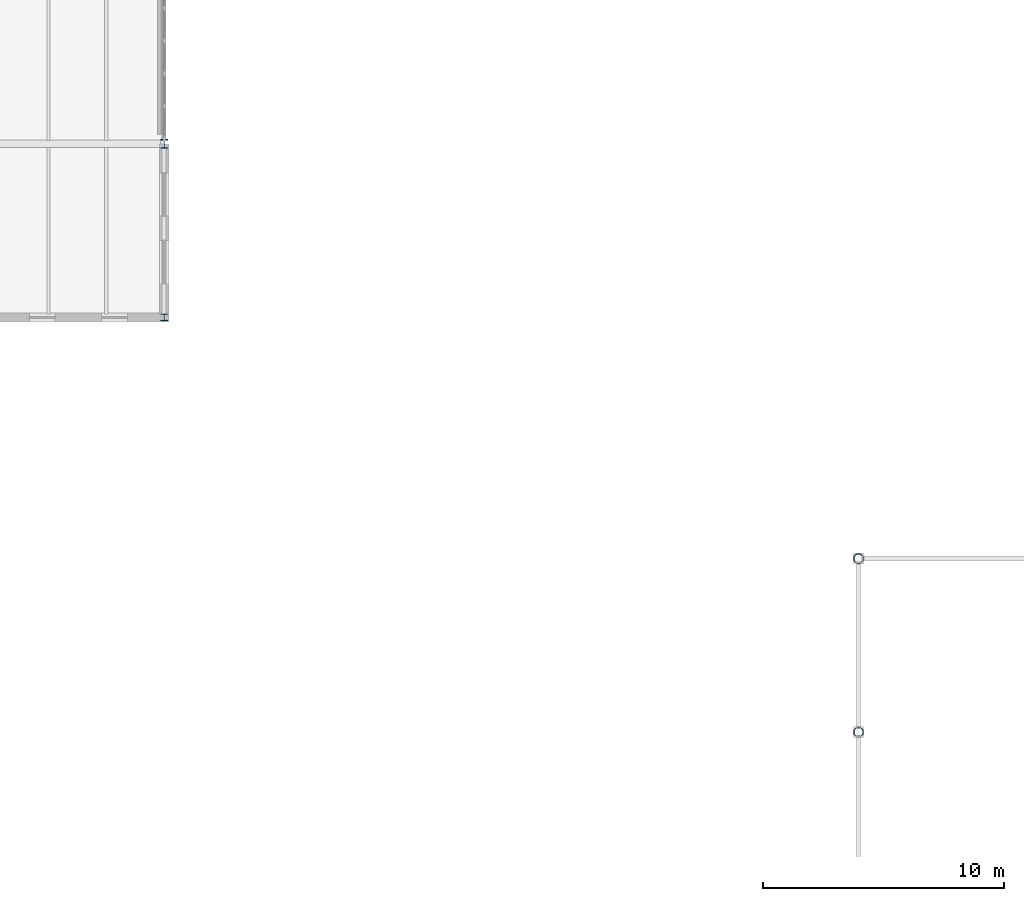
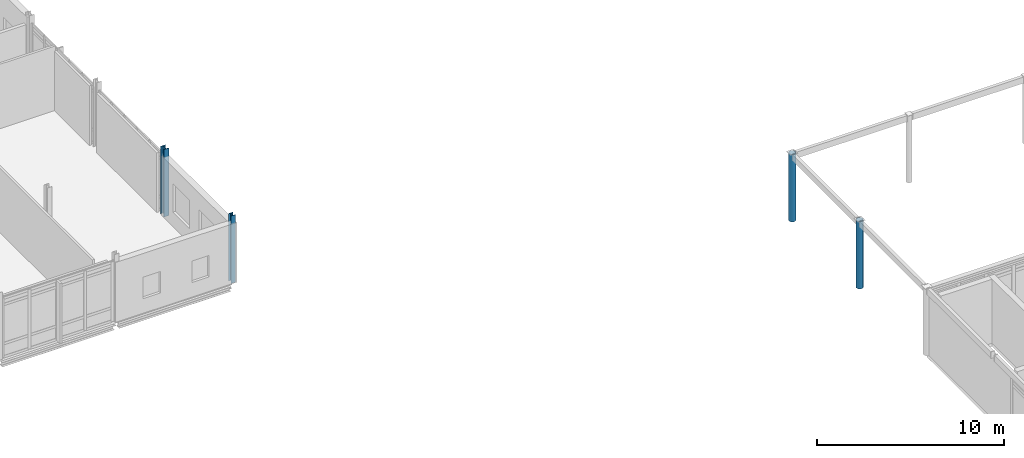
# One storey, part 10 of 72: 4 columns.
"""IFC4 building model written with IfcOpenShell, lengths in metres."""

from ifc_helpers import new_model, si_unit, direction, frame, origin, origin_2d, place, context, subcontext, project, spatial, hollow_circle, i_section, extrude, material, material_profile, profile_set, type_object, element, save


model = new_model("IFC4")

# Units and contexts
model_context = context("Model", 3, precision=1e-05, world=origin(), true_north=direction((0.0, 1.0)))
body_context = subcontext(model_context, "Body", "Model", "MODEL_VIEW")
ifc_project = project(units=[si_unit("LENGTHUNIT", "METRE"), si_unit("AREAUNIT", "SQUARE_METRE"), si_unit("VOLUMEUNIT", "CUBIC_METRE"), si_unit("PLANEANGLEUNIT", "RADIAN"), si_unit("MASSUNIT", "GRAM", prefix="KILO")], contexts=[model_context])

# Site, building, storey
site_placement = place(None, origin())
site = spatial("IfcSite", under=ifc_project, at=site_placement, CompositionType="ELEMENT")
building_placement = place(site_placement, origin())
building = spatial("IfcBuilding", under=site, at=building_placement, Name="Zarrinpeak Specialist Clinic", CompositionType="ELEMENT")
storey_placement = place(building_placement, frame((0.0, 0.0, 9.60009765625)))
storey = spatial("IfcBuildingStorey", under=building, at=storey_placement, Name="L02", CompositionType="ELEMENT", Elevation=9.60009765625)

# Columns
ifc_material = material(Name="Steel S355", Category="steel")
ifc_material_profile_1 = material_profile(ifc_material, hollow_circle(Radius=0.203125, WallThickness=0.01611328125, at=origin_2d()), Name="CHS 406.4x16.0")
ifc_profile_set_1 = profile_set([ifc_material_profile_1], Name="Steel S355")
column_type_1 = type_object("IfcColumnType", Name="COL-CHS406", PredefinedType="COLUMN", material=ifc_profile_set_1)
for number, where, z_axis, x_axis, name in (
    (1, (93.60009765625, 64.800048828125, 0.0), (0.0, 0.0, 1.0), (1.0, 0.0, 0.0), "L02 Structural Column COL-L02-141"),
    (2, (93.60009765625, 72.0, 0.0), (0.0, 0.0, 1.0), (1.0, 0.0, 0.0), "L02 Structural Column COL-L02-142"),
):
    element("IfcColumn", number, at=place(storey_placement, frame(where, z_axis=z_axis, x_axis=x_axis)), inside=storey, type_object=column_type_1, Name=name, PredefinedType="COLUMN", context=body_context, shape_type="SweptSolid", body=[
        extrude(hollow_circle(Radius=0.203125, WallThickness=0.01611328125, at=origin_2d()), origin(), (0.0, 0.0, 1.0), 4.39990234375),
    ])
ifc_material_profile_2 = material_profile(ifc_material, i_section(OverallWidth=0.280029296875, OverallDepth=0.280029296875, WebThickness=0.010498046875, FlangeThickness=0.01806640625, FilletRadius=0.02392578125, at=origin_2d()), Name="HEB 280")
ifc_profile_set_2 = profile_set([ifc_material_profile_2], Name="Steel S355")
column_type_2 = type_object("IfcColumnType", Name="COL-HEB280", PredefinedType="COLUMN", material=ifc_profile_set_2)
column_1_placement = place(storey_placement, frame((64.800048828125, 82.0, 0.0), z_axis=(0.0, 0.0, 1.0), x_axis=(1.0, 0.0, 0.0)))
element("IfcColumn", 3, at=column_1_placement, inside=storey, type_object=column_type_2, Name="L02 Structural Column COL-L02-119", PredefinedType="COLUMN", context=body_context, shape_type="SweptSolid", body=[
    extrude(i_section(OverallWidth=0.280029296875, OverallDepth=0.280029296875, WebThickness=0.010498046875, FlangeThickness=0.01806640625, FilletRadius=0.02392578125, at=origin_2d()), origin(), (0.0, 0.0, 1.0), 4.39990234375),
])
ifc_material_profile_3 = material_profile(ifc_material, i_section(OverallWidth=0.300048828125, OverallDepth=0.360107421875, WebThickness=0.012451171875, FlangeThickness=0.0224609375, FilletRadius=0.027099609375, at=origin_2d()), Name="HEB 360")
ifc_profile_set_3 = profile_set([ifc_material_profile_3], Name="Steel S355")
column_type_3 = type_object("IfcColumnType", Name="COL-HEB360", PredefinedType="COLUMN", material=ifc_profile_set_3)
column_2_placement = place(storey_placement, frame((64.800048828125, 89.199951171875, 0.0), z_axis=(0.0, 0.0, 1.0), x_axis=(1.0, 0.0, 0.0)))
element("IfcColumn", 4, at=column_2_placement, inside=storey, type_object=column_type_3, Name="L02 Structural Column COL-L02-120", PredefinedType="COLUMN", context=body_context, shape_type="SweptSolid", body=[
    extrude(i_section(OverallWidth=0.300048828125, OverallDepth=0.360107421875, WebThickness=0.012451171875, FlangeThickness=0.0224609375, FilletRadius=0.027099609375, at=origin_2d()), origin(), (0.0, 0.0, 1.0), 4.39990234375),
])

save(model, "model.ifc")
